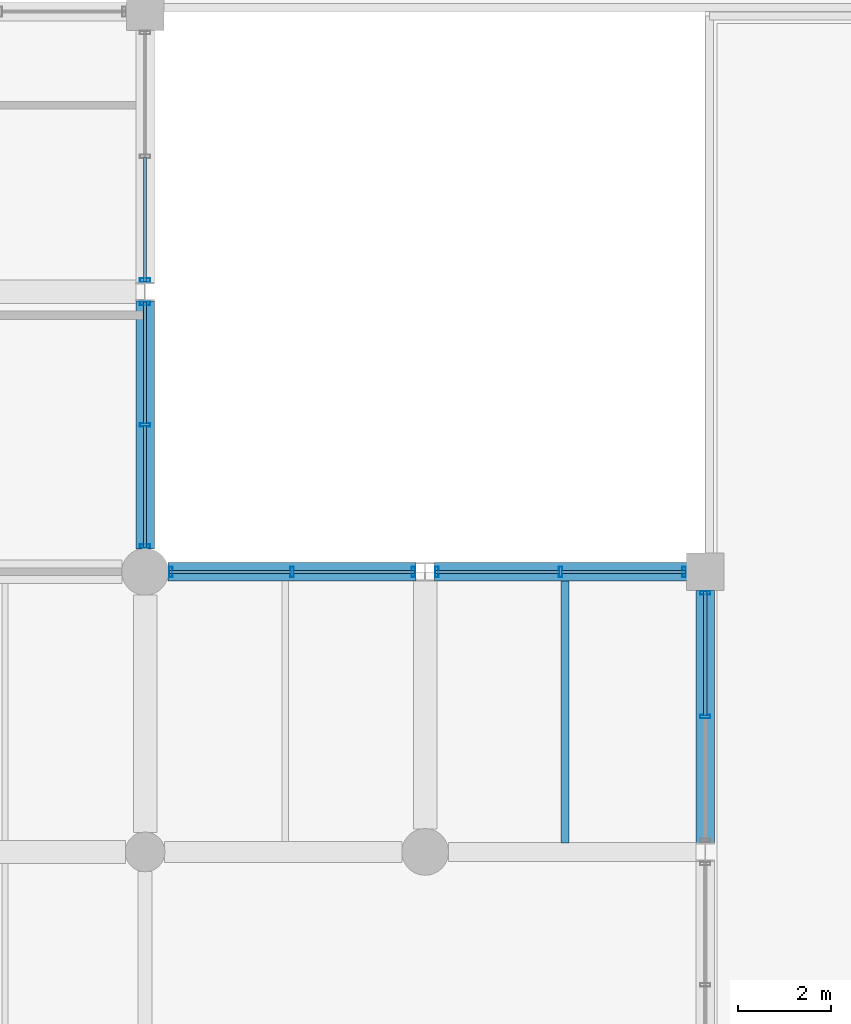
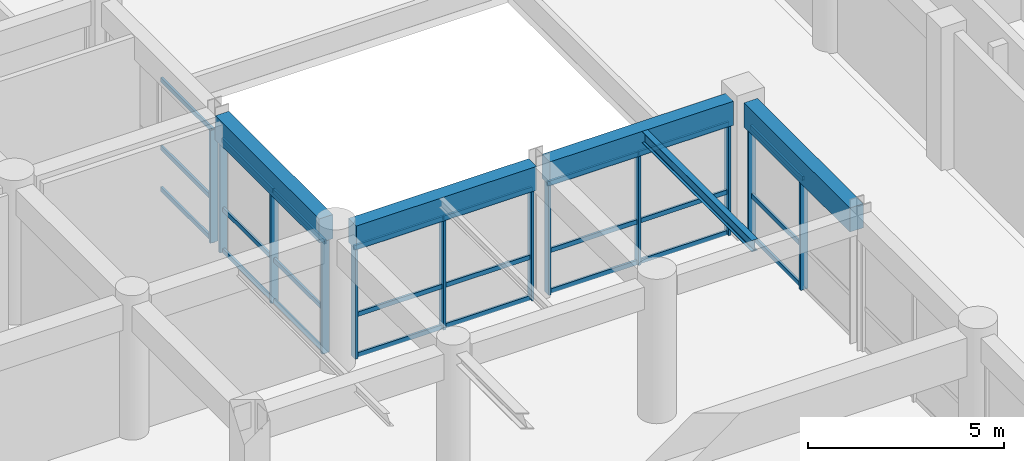
# One storey, part 71 of 133: 36 members, 5 beams, 5 elements without a shape of their own.
"""IFC4 building model written with IfcOpenShell, lengths in metres."""

from ifc_helpers import new_model, si_unit, direction, frame, origin, origin_2d, place, context, subcontext, project, spatial, rectangle, hollow_rectangle, i_section, extrude, material, material_profile, profile_set, type_object, element, aggregate, save


model = new_model("IFC4")

# Units and contexts
model_context = context("Model", 3, precision=1e-05, world=origin(), true_north=direction((0.0, 1.0)))
body_context = subcontext(model_context, "Body", "Model", "MODEL_VIEW")
ifc_project = project(units=[si_unit("LENGTHUNIT", "METRE"), si_unit("AREAUNIT", "SQUARE_METRE"), si_unit("VOLUMEUNIT", "CUBIC_METRE"), si_unit("PLANEANGLEUNIT", "RADIAN"), si_unit("MASSUNIT", "GRAM", prefix="KILO"), si_unit("THERMODYNAMICTEMPERATUREUNIT", "KELVIN"), si_unit("POWERUNIT", "WATT")], contexts=[model_context])

# Site, building, storey
site_placement = place(None, origin())
site = spatial("IfcSite", under=ifc_project, at=site_placement, CompositionType="ELEMENT")
building_placement = place(site_placement, origin())
building = spatial("IfcBuilding", under=site, at=building_placement, Name="Phaisarnlok Congress Hotel", CompositionType="ELEMENT")
storey_placement = place(building_placement, frame((0.0, 0.0, 6.0)))
storey = spatial("IfcBuildingStorey", under=building, at=storey_placement, Name="L01", CompositionType="ELEMENT", Elevation=6.0)

# Curtain wall, members
ifc_material_1 = material(Name="Thermally Broken Unitised Aluminium & Low-E Glazing", Category="aluminium")
curtain_wall_type_1 = type_object("IfcCurtainWallType", Name="CW-UNIT-14", PredefinedType="NOTDEFINED", material=ifc_material_1)
curtain_wall_1_placement = place(storey_placement, origin())
curtain_wall_1 = element("IfcCurtainWall", 1, at=curtain_wall_1_placement, inside=storey, type_object=curtain_wall_type_1, Name="Unitised curtain wall CW-14 (L01)", PredefinedType="NOTDEFINED")
ifc_material_2 = material(Name="Anodised Aluminium Alloy 6063-T6", Category="aluminium")
ifc_material_profile_1 = material_profile(ifc_material_2, hollow_rectangle(XDim=0.074951171875, YDim=0.219970703125, WallThickness=0.0048828125, at=origin_2d()), Name="ALU-M 75x220x5")
ifc_profile_set_1 = profile_set([ifc_material_profile_1], Name="Anodised Aluminium Alloy 6063-T6")
member_type_1 = type_object("IfcMemberType", Name="CWM-220", PredefinedType="MULLION", material=ifc_profile_set_1)
member_1_placement = place(storey_placement, frame((156.0, 80.899658203125, 0.0), z_axis=(0.0, 0.0, 1.0), x_axis=(0.0, 1.0, 0.0)))
member_1 = element("IfcMember", 2, at=member_1_placement, type_object=member_type_1, Name="Curtain wall mullion CWM-02", PredefinedType="MULLION", context=body_context, shape_type="SweptSolid", body=[
    extrude(hollow_rectangle(XDim=0.074951171875, YDim=0.219970703125, WallThickness=0.0048828125, at=origin_2d()), origin(), (0.0, 0.0, 1.0), 3.469970703125),
])
member_2_placement = place(storey_placement, frame((156.0, 83.550048828125, 0.0), z_axis=(0.0, 0.0, 1.0), x_axis=(0.0, 1.0, 0.0)))
member_2 = element("IfcMember", 3, at=member_2_placement, type_object=member_type_1, Name="Curtain wall mullion CWM-02", PredefinedType="MULLION", context=body_context, shape_type="SweptSolid", body=[
    extrude(hollow_rectangle(XDim=0.074951171875, YDim=0.219970703125, WallThickness=0.0048828125, at=origin_2d()), origin(), (0.0, 0.0, 1.0), 3.469970703125),
])

curtain_wall_2_placement = place(storey_placement, origin())
curtain_wall_2 = element("IfcCurtainWall", 4, at=curtain_wall_2_placement, inside=storey, type_object=curtain_wall_type_1, Name="Unitised curtain wall CW-14 (L01)", PredefinedType="NOTDEFINED")
member_3_placement = place(storey_placement, frame((155.550048828125, 84.0, 0.0), z_axis=(0.0, 0.0, 1.0), x_axis=(-1.0, 0.0, 0.0)))
member_3 = element("IfcMember", 5, at=member_3_placement, type_object=member_type_1, Name="Curtain wall mullion CWM-02", PredefinedType="MULLION", context=body_context, shape_type="SweptSolid", body=[
    extrude(hollow_rectangle(XDim=0.074951171875, YDim=0.219970703125, WallThickness=0.0048828125, at=origin_2d()), origin(), (0.0, 0.0, 1.0), 3.469970703125),
])
member_4_placement = place(storey_placement, frame((152.900146484375, 84.0, 0.0), z_axis=(0.0, 0.0, 1.0), x_axis=(-1.0, 0.0, 0.0)))
member_4 = element("IfcMember", 6, at=member_4_placement, type_object=member_type_1, Name="Curtain wall mullion CWM-02", PredefinedType="MULLION", context=body_context, shape_type="SweptSolid", body=[
    extrude(hollow_rectangle(XDim=0.074951171875, YDim=0.219970703125, WallThickness=0.0048828125, at=origin_2d()), origin(), (0.0, 0.0, 1.0), 3.469970703125),
])
member_5_placement = place(storey_placement, frame((150.25048828125, 84.0, 0.0), z_axis=(0.0, 0.0, 1.0), x_axis=(-1.0, 0.0, 0.0)))
member_5 = element("IfcMember", 7, at=member_5_placement, type_object=member_type_1, Name="Curtain wall mullion CWM-02", PredefinedType="MULLION", context=body_context, shape_type="SweptSolid", body=[
    extrude(hollow_rectangle(XDim=0.074951171875, YDim=0.219970703125, WallThickness=0.0048828125, at=origin_2d()), origin(), (0.0, 0.0, 1.0), 3.469970703125),
])

curtain_wall_type_2 = type_object("IfcCurtainWallType", Name="CW-UNIT-13", PredefinedType="NOTDEFINED", material=ifc_material_1)
curtain_wall_3_placement = place(storey_placement, origin())
curtain_wall_3 = element("IfcCurtainWall", 8, at=curtain_wall_3_placement, inside=storey, type_object=curtain_wall_type_2, Name="Unitised curtain wall CW-13 (L01)", PredefinedType="NOTDEFINED")
member_6_placement = place(storey_placement, frame((149.74951171875, 84.0, 0.0), z_axis=(0.0, 0.0, 1.0), x_axis=(-1.0, 0.0, 0.0)))
member_6 = element("IfcMember", 9, at=member_6_placement, type_object=member_type_1, Name="Curtain wall mullion CWM-02", PredefinedType="MULLION", context=body_context, shape_type="SweptSolid", body=[
    extrude(hollow_rectangle(XDim=0.074951171875, YDim=0.219970703125, WallThickness=0.0048828125, at=origin_2d()), origin(), (0.0, 0.0, 1.0), 3.469970703125),
])
member_7_placement = place(storey_placement, frame((147.149658203125, 84.0, 0.0), z_axis=(0.0, 0.0, 1.0), x_axis=(-1.0, 0.0, 0.0)))
member_7 = element("IfcMember", 10, at=member_7_placement, type_object=member_type_1, Name="Curtain wall mullion CWM-02", PredefinedType="MULLION", context=body_context, shape_type="SweptSolid", body=[
    extrude(hollow_rectangle(XDim=0.074951171875, YDim=0.219970703125, WallThickness=0.0048828125, at=origin_2d()), origin(), (0.0, 0.0, 1.0), 3.469970703125),
])
member_8_placement = place(storey_placement, frame((144.550048828125, 84.0, 0.0), z_axis=(0.0, 0.0, 1.0), x_axis=(-1.0, 0.0, 0.0)))
member_8 = element("IfcMember", 11, at=member_8_placement, type_object=member_type_1, Name="Curtain wall mullion CWM-02", PredefinedType="MULLION", context=body_context, shape_type="SweptSolid", body=[
    extrude(hollow_rectangle(XDim=0.074951171875, YDim=0.219970703125, WallThickness=0.0048828125, at=origin_2d()), origin(), (0.0, 0.0, 1.0), 3.469970703125),
])

curtain_wall_type_3 = type_object("IfcCurtainWallType", Name="CW-UNIT-16", PredefinedType="NOTDEFINED", material=ifc_material_1)
curtain_wall_4_placement = place(storey_placement, origin())
curtain_wall_4 = element("IfcCurtainWall", 12, at=curtain_wall_4_placement, inside=storey, type_object=curtain_wall_type_3, Name="Unitised curtain wall CW-16 (L01)", PredefinedType="NOTDEFINED")
member_9_placement = place(storey_placement, frame((144.0, 84.550048828125, 0.0), z_axis=(0.0, 0.0, 1.0), x_axis=(0.0, 1.0, 0.0)))
member_9 = element("IfcMember", 13, at=member_9_placement, type_object=member_type_1, Name="Curtain wall mullion CWM-02", PredefinedType="MULLION", context=body_context, shape_type="SweptSolid", body=[
    extrude(hollow_rectangle(XDim=0.074951171875, YDim=0.219970703125, WallThickness=0.0048828125, at=origin_2d()), origin(), (0.0, 0.0, 1.0), 3.510009765625),
])
member_10_placement = place(storey_placement, frame((144.0, 87.150146484375, 0.0), z_axis=(0.0, 0.0, 1.0), x_axis=(0.0, 1.0, 0.0)))
member_10 = element("IfcMember", 14, at=member_10_placement, type_object=member_type_1, Name="Curtain wall mullion CWM-02", PredefinedType="MULLION", context=body_context, shape_type="SweptSolid", body=[
    extrude(hollow_rectangle(XDim=0.074951171875, YDim=0.219970703125, WallThickness=0.0048828125, at=origin_2d()), origin(), (0.0, 0.0, 1.0), 3.510009765625),
])
member_11_placement = place(storey_placement, frame((144.0, 89.75048828125, 0.0), z_axis=(0.0, 0.0, 1.0), x_axis=(0.0, 1.0, 0.0)))
member_11 = element("IfcMember", 15, at=member_11_placement, type_object=member_type_1, Name="Curtain wall mullion CWM-02", PredefinedType="MULLION", context=body_context, shape_type="SweptSolid", body=[
    extrude(hollow_rectangle(XDim=0.074951171875, YDim=0.219970703125, WallThickness=0.0048828125, at=origin_2d()), origin(), (0.0, 0.0, 1.0), 3.510009765625),
])

# Curtain wall, member
curtain_wall_type_4 = type_object("IfcCurtainWallType", Name="CW-UNIT-17", PredefinedType="NOTDEFINED", material=ifc_material_1)
curtain_wall_5_placement = place(storey_placement, origin())
curtain_wall_5 = element("IfcCurtainWall", 16, at=curtain_wall_5_placement, inside=storey, type_object=curtain_wall_type_4, Name="Unitised curtain wall CW-17 (L01)", PredefinedType="NOTDEFINED")
member_12_placement = place(storey_placement, frame((144.0, 90.24951171875, 0.0), z_axis=(0.0, 0.0, 1.0), x_axis=(0.0, 1.0, 0.0)))
member_12 = element("IfcMember", 17, at=member_12_placement, type_object=member_type_1, Name="Curtain wall mullion CWM-02", PredefinedType="MULLION", context=body_context, shape_type="SweptSolid", body=[
    extrude(hollow_rectangle(XDim=0.074951171875, YDim=0.219970703125, WallThickness=0.0048828125, at=origin_2d()), origin(), (0.0, 0.0, 1.0), 3.510009765625),
])

# Member
ifc_material_profile_2 = material_profile(ifc_material_2, hollow_rectangle(XDim=0.06494140625, YDim=0.139892578125, WallThickness=0.00390625, at=origin_2d()), Name="ALU-T 65x140x4")
ifc_profile_set_2 = profile_set([ifc_material_profile_2], Name="Anodised Aluminium Alloy 6063-T6")
member_type_2 = type_object("IfcMemberType", Name="CWT-150", PredefinedType="USERDEFINED", material=ifc_profile_set_2)
member_13_placement = place(storey_placement, frame((156.0, 80.914794921875, 0.050048828125), z_axis=(0.0, 1.0, 0.0), x_axis=(-1.0, 0.0, 0.0)))
member_13 = element("IfcMember", 18, at=member_13_placement, type_object=member_type_2, Name="Curtain wall transom CWT-01", ObjectType="TRANSOM", PredefinedType="USERDEFINED", context=body_context, shape_type="SweptSolid", body=[
    extrude(hollow_rectangle(XDim=0.06494140625, YDim=0.139892578125, WallThickness=0.00390625, at=origin_2d()), origin(), (0.0, 0.0, 1.0), 2.66015625),
])

member_14_placement = place(storey_placement, frame((156.0, 80.914794921875, 1.318603515625), z_axis=(0.0, 1.0, 0.0), x_axis=(-1.0, 0.0, 0.0)))
member_14 = element("IfcMember", 19, at=member_14_placement, type_object=member_type_2, Name="Curtain wall transom CWT-01", ObjectType="TRANSOM", PredefinedType="USERDEFINED", context=body_context, shape_type="SweptSolid", body=[
    extrude(hollow_rectangle(XDim=0.06494140625, YDim=0.139892578125, WallThickness=0.00390625, at=origin_2d()), origin(), (0.0, 0.0, 1.0), 2.66015625),
])

member_15_placement = place(storey_placement, frame((156.0, 80.914794921875, 3.419921875), z_axis=(0.0, 1.0, 0.0), x_axis=(-1.0, 0.0, 0.0)))
member_15 = element("IfcMember", 20, at=member_15_placement, type_object=member_type_2, Name="Curtain wall transom CWT-01", ObjectType="TRANSOM", PredefinedType="USERDEFINED", context=body_context, shape_type="SweptSolid", body=[
    extrude(hollow_rectangle(XDim=0.06494140625, YDim=0.139892578125, WallThickness=0.00390625, at=origin_2d()), origin(), (0.0, 0.0, 1.0), 2.66015625),
])

aggregate(curtain_wall_1, [member_1, member_2, member_13, member_14, member_15])

member_16_placement = place(storey_placement, frame((155.574951171875, 84.0, 0.050048828125), z_axis=(-1.0, 0.0, 0.0), x_axis=(0.0, -1.0, 0.0)))
member_16 = element("IfcMember", 21, at=member_16_placement, type_object=member_type_2, Name="Curtain wall transom CWT-01", ObjectType="TRANSOM", PredefinedType="USERDEFINED", context=body_context, shape_type="SweptSolid", body=[
    extrude(hollow_rectangle(XDim=0.06494140625, YDim=0.139892578125, WallThickness=0.00390625, at=origin_2d()), origin(), (0.0, 0.0, 1.0), 2.65966796875),
])

member_17_placement = place(storey_placement, frame((155.574951171875, 84.0, 1.318603515625), z_axis=(-1.0, 0.0, 0.0), x_axis=(0.0, -1.0, 0.0)))
member_17 = element("IfcMember", 22, at=member_17_placement, type_object=member_type_2, Name="Curtain wall transom CWT-01", ObjectType="TRANSOM", PredefinedType="USERDEFINED", context=body_context, shape_type="SweptSolid", body=[
    extrude(hollow_rectangle(XDim=0.06494140625, YDim=0.139892578125, WallThickness=0.00390625, at=origin_2d()), origin(), (0.0, 0.0, 1.0), 2.65966796875),
])

member_18_placement = place(storey_placement, frame((155.574951171875, 84.0, 3.419921875), z_axis=(-1.0, 0.0, 0.0), x_axis=(0.0, -1.0, 0.0)))
member_18 = element("IfcMember", 23, at=member_18_placement, type_object=member_type_2, Name="Curtain wall transom CWT-01", ObjectType="TRANSOM", PredefinedType="USERDEFINED", context=body_context, shape_type="SweptSolid", body=[
    extrude(hollow_rectangle(XDim=0.06494140625, YDim=0.139892578125, WallThickness=0.00390625, at=origin_2d()), origin(), (0.0, 0.0, 1.0), 2.65966796875),
])

member_19_placement = place(storey_placement, frame((152.88525390625, 84.0, 0.050048828125), z_axis=(-1.0, 0.0, 0.0), x_axis=(0.0, -1.0, 0.0)))
member_19 = element("IfcMember", 24, at=member_19_placement, type_object=member_type_2, Name="Curtain wall transom CWT-01", ObjectType="TRANSOM", PredefinedType="USERDEFINED", context=body_context, shape_type="SweptSolid", body=[
    extrude(hollow_rectangle(XDim=0.06494140625, YDim=0.139892578125, WallThickness=0.00390625, at=origin_2d()), origin(), (0.0, 0.0, 1.0), 2.65966796875),
])

member_20_placement = place(storey_placement, frame((152.88525390625, 84.0, 1.318603515625), z_axis=(-1.0, 0.0, 0.0), x_axis=(0.0, -1.0, 0.0)))
member_20 = element("IfcMember", 25, at=member_20_placement, type_object=member_type_2, Name="Curtain wall transom CWT-01", ObjectType="TRANSOM", PredefinedType="USERDEFINED", context=body_context, shape_type="SweptSolid", body=[
    extrude(hollow_rectangle(XDim=0.06494140625, YDim=0.139892578125, WallThickness=0.00390625, at=origin_2d()), origin(), (0.0, 0.0, 1.0), 2.65966796875),
])

member_21_placement = place(storey_placement, frame((152.88525390625, 84.0, 3.419921875), z_axis=(-1.0, 0.0, 0.0), x_axis=(0.0, -1.0, 0.0)))
member_21 = element("IfcMember", 26, at=member_21_placement, type_object=member_type_2, Name="Curtain wall transom CWT-01", ObjectType="TRANSOM", PredefinedType="USERDEFINED", context=body_context, shape_type="SweptSolid", body=[
    extrude(hollow_rectangle(XDim=0.06494140625, YDim=0.139892578125, WallThickness=0.00390625, at=origin_2d()), origin(), (0.0, 0.0, 1.0), 2.65966796875),
])

aggregate(curtain_wall_2, [member_3, member_4, member_5, member_16, member_17, member_18, member_19, member_20, member_21])

member_22_placement = place(storey_placement, frame((149.7744140625, 84.0, 0.050048828125), z_axis=(-1.0, 0.0, 0.0), x_axis=(0.0, -1.0, 0.0)))
member_22 = element("IfcMember", 27, at=member_22_placement, type_object=member_type_2, Name="Curtain wall transom CWT-01", ObjectType="TRANSOM", PredefinedType="USERDEFINED", context=body_context, shape_type="SweptSolid", body=[
    extrude(hollow_rectangle(XDim=0.06494140625, YDim=0.139892578125, WallThickness=0.00390625, at=origin_2d()), origin(), (0.0, 0.0, 1.0), 2.609619140625),
])

member_23_placement = place(storey_placement, frame((149.7744140625, 84.0, 1.318603515625), z_axis=(-1.0, 0.0, 0.0), x_axis=(0.0, -1.0, 0.0)))
member_23 = element("IfcMember", 28, at=member_23_placement, type_object=member_type_2, Name="Curtain wall transom CWT-01", ObjectType="TRANSOM", PredefinedType="USERDEFINED", context=body_context, shape_type="SweptSolid", body=[
    extrude(hollow_rectangle(XDim=0.06494140625, YDim=0.139892578125, WallThickness=0.00390625, at=origin_2d()), origin(), (0.0, 0.0, 1.0), 2.609619140625),
])

member_24_placement = place(storey_placement, frame((149.7744140625, 84.0, 3.419921875), z_axis=(-1.0, 0.0, 0.0), x_axis=(0.0, -1.0, 0.0)))
member_24 = element("IfcMember", 29, at=member_24_placement, type_object=member_type_2, Name="Curtain wall transom CWT-01", ObjectType="TRANSOM", PredefinedType="USERDEFINED", context=body_context, shape_type="SweptSolid", body=[
    extrude(hollow_rectangle(XDim=0.06494140625, YDim=0.139892578125, WallThickness=0.00390625, at=origin_2d()), origin(), (0.0, 0.0, 1.0), 2.609619140625),
])

member_25_placement = place(storey_placement, frame((147.134765625, 84.0, 0.050048828125), z_axis=(-1.0, 0.0, 0.0), x_axis=(0.0, -1.0, 0.0)))
member_25 = element("IfcMember", 30, at=member_25_placement, type_object=member_type_2, Name="Curtain wall transom CWT-01", ObjectType="TRANSOM", PredefinedType="USERDEFINED", context=body_context, shape_type="SweptSolid", body=[
    extrude(hollow_rectangle(XDim=0.06494140625, YDim=0.139892578125, WallThickness=0.00390625, at=origin_2d()), origin(), (0.0, 0.0, 1.0), 2.60986328125),
])

member_26_placement = place(storey_placement, frame((147.134765625, 84.0, 1.318603515625), z_axis=(-1.0, 0.0, 0.0), x_axis=(0.0, -1.0, 0.0)))
member_26 = element("IfcMember", 31, at=member_26_placement, type_object=member_type_2, Name="Curtain wall transom CWT-01", ObjectType="TRANSOM", PredefinedType="USERDEFINED", context=body_context, shape_type="SweptSolid", body=[
    extrude(hollow_rectangle(XDim=0.06494140625, YDim=0.139892578125, WallThickness=0.00390625, at=origin_2d()), origin(), (0.0, 0.0, 1.0), 2.60986328125),
])

member_27_placement = place(storey_placement, frame((147.134765625, 84.0, 3.419921875), z_axis=(-1.0, 0.0, 0.0), x_axis=(0.0, -1.0, 0.0)))
member_27 = element("IfcMember", 32, at=member_27_placement, type_object=member_type_2, Name="Curtain wall transom CWT-01", ObjectType="TRANSOM", PredefinedType="USERDEFINED", context=body_context, shape_type="SweptSolid", body=[
    extrude(hollow_rectangle(XDim=0.06494140625, YDim=0.139892578125, WallThickness=0.00390625, at=origin_2d()), origin(), (0.0, 0.0, 1.0), 2.60986328125),
])

aggregate(curtain_wall_3, [member_6, member_7, member_8, member_22, member_23, member_24, member_25, member_26, member_27])

member_28_placement = place(storey_placement, frame((144.0, 84.52490234375, 0.050048828125), z_axis=(0.0, 1.0, 0.0), x_axis=(-1.0, 0.0, 0.0)))
member_28 = element("IfcMember", 33, at=member_28_placement, type_object=member_type_2, Name="Curtain wall transom CWT-01", ObjectType="TRANSOM", PredefinedType="USERDEFINED", context=body_context, shape_type="SweptSolid", body=[
    extrude(hollow_rectangle(XDim=0.06494140625, YDim=0.139892578125, WallThickness=0.00390625, at=origin_2d()), origin(), (0.0, 0.0, 1.0), 2.6103515625),
])

member_29_placement = place(storey_placement, frame((144.0, 84.52490234375, 1.333740234375), z_axis=(0.0, 1.0, 0.0), x_axis=(-1.0, 0.0, 0.0)))
member_29 = element("IfcMember", 34, at=member_29_placement, type_object=member_type_2, Name="Curtain wall transom CWT-01", ObjectType="TRANSOM", PredefinedType="USERDEFINED", context=body_context, shape_type="SweptSolid", body=[
    extrude(hollow_rectangle(XDim=0.06494140625, YDim=0.139892578125, WallThickness=0.00390625, at=origin_2d()), origin(), (0.0, 0.0, 1.0), 2.6103515625),
])

member_30_placement = place(storey_placement, frame((144.0, 84.52490234375, 3.4599609375), z_axis=(0.0, 1.0, 0.0), x_axis=(-1.0, 0.0, 0.0)))
member_30 = element("IfcMember", 35, at=member_30_placement, type_object=member_type_2, Name="Curtain wall transom CWT-01", ObjectType="TRANSOM", PredefinedType="USERDEFINED", context=body_context, shape_type="SweptSolid", body=[
    extrude(hollow_rectangle(XDim=0.06494140625, YDim=0.139892578125, WallThickness=0.00390625, at=origin_2d()), origin(), (0.0, 0.0, 1.0), 2.6103515625),
])

member_31_placement = place(storey_placement, frame((144.0, 87.165283203125, 0.050048828125), z_axis=(0.0, 1.0, 0.0), x_axis=(-1.0, 0.0, 0.0)))
member_31 = element("IfcMember", 36, at=member_31_placement, type_object=member_type_2, Name="Curtain wall transom CWT-01", ObjectType="TRANSOM", PredefinedType="USERDEFINED", context=body_context, shape_type="SweptSolid", body=[
    extrude(hollow_rectangle(XDim=0.06494140625, YDim=0.139892578125, WallThickness=0.00390625, at=origin_2d()), origin(), (0.0, 0.0, 1.0), 2.610107421875),
])

member_32_placement = place(storey_placement, frame((144.0, 87.165283203125, 1.333740234375), z_axis=(0.0, 1.0, 0.0), x_axis=(-1.0, 0.0, 0.0)))
member_32 = element("IfcMember", 37, at=member_32_placement, type_object=member_type_2, Name="Curtain wall transom CWT-01", ObjectType="TRANSOM", PredefinedType="USERDEFINED", context=body_context, shape_type="SweptSolid", body=[
    extrude(hollow_rectangle(XDim=0.06494140625, YDim=0.139892578125, WallThickness=0.00390625, at=origin_2d()), origin(), (0.0, 0.0, 1.0), 2.610107421875),
])

member_33_placement = place(storey_placement, frame((144.0, 87.165283203125, 3.4599609375), z_axis=(0.0, 1.0, 0.0), x_axis=(-1.0, 0.0, 0.0)))
member_33 = element("IfcMember", 38, at=member_33_placement, type_object=member_type_2, Name="Curtain wall transom CWT-01", ObjectType="TRANSOM", PredefinedType="USERDEFINED", context=body_context, shape_type="SweptSolid", body=[
    extrude(hollow_rectangle(XDim=0.06494140625, YDim=0.139892578125, WallThickness=0.00390625, at=origin_2d()), origin(), (0.0, 0.0, 1.0), 2.610107421875),
])

aggregate(curtain_wall_4, [member_9, member_10, member_11, member_28, member_29, member_30, member_31, member_32, member_33])

member_34_placement = place(storey_placement, frame((144.0, 90.224609375, 0.050048828125), z_axis=(0.0, 1.0, 0.0), x_axis=(-1.0, 0.0, 0.0)))
member_34 = element("IfcMember", 39, at=member_34_placement, type_object=member_type_2, Name="Curtain wall transom CWT-01", ObjectType="TRANSOM", PredefinedType="USERDEFINED", context=body_context, shape_type="SweptSolid", body=[
    extrude(hollow_rectangle(XDim=0.06494140625, YDim=0.139892578125, WallThickness=0.00390625, at=origin_2d()), origin(), (0.0, 0.0, 1.0), 2.66015625),
])

member_35_placement = place(storey_placement, frame((144.0, 90.224609375, 1.333740234375), z_axis=(0.0, 1.0, 0.0), x_axis=(-1.0, 0.0, 0.0)))
member_35 = element("IfcMember", 40, at=member_35_placement, type_object=member_type_2, Name="Curtain wall transom CWT-01", ObjectType="TRANSOM", PredefinedType="USERDEFINED", context=body_context, shape_type="SweptSolid", body=[
    extrude(hollow_rectangle(XDim=0.06494140625, YDim=0.139892578125, WallThickness=0.00390625, at=origin_2d()), origin(), (0.0, 0.0, 1.0), 2.66015625),
])

member_36_placement = place(storey_placement, frame((144.0, 90.224609375, 3.4599609375), z_axis=(0.0, 1.0, 0.0), x_axis=(-1.0, 0.0, 0.0)))
member_36 = element("IfcMember", 41, at=member_36_placement, type_object=member_type_2, Name="Curtain wall transom CWT-01", ObjectType="TRANSOM", PredefinedType="USERDEFINED", context=body_context, shape_type="SweptSolid", body=[
    extrude(hollow_rectangle(XDim=0.06494140625, YDim=0.139892578125, WallThickness=0.00390625, at=origin_2d()), origin(), (0.0, 0.0, 1.0), 2.66015625),
])

aggregate(curtain_wall_5, [member_12, member_34, member_35, member_36])

# Beams
ifc_material_3 = material(Name="Steel S355", Category="steel")
ifc_material_profile_3 = material_profile(ifc_material_3, i_section(OverallWidth=0.169921875, OverallDepth=0.360107421875, WebThickness=0.008056640625, FlangeThickness=0.0126953125, FilletRadius=0.01806640625, at=origin_2d()), Name="IPE 360")
ifc_profile_set_3 = profile_set([ifc_material_profile_3], Name="Steel S355")
beam_type_1 = type_object("IfcBeamType", Name="JS-STL-IPE360", PredefinedType="JOIST", material=ifc_profile_set_3)
beam_1_placement = place(storey_placement, frame((153.0, 78.195068359375, 4.0400390625), z_axis=(0.0, 1.0, 0.0), x_axis=(-1.0, 0.0, 0.0)))
element("IfcBeam", 42, at=beam_1_placement, inside=storey, type_object=beam_type_1, Name="Secondary floor joist J-04", PredefinedType="JOIST", context=body_context, shape_type="SweptSolid", body=[
    extrude(i_section(OverallWidth=0.169921875, OverallDepth=0.360107421875, WebThickness=0.008056640625, FlangeThickness=0.0126953125, FilletRadius=0.01806640625, at=origin_2d()), origin(), (0.0, 0.0, 1.0), 5.60986328125),
])
ifc_material_4 = material(Name="Concrete C40/50", Category="concrete")
ifc_material_profile_4 = material_profile(ifc_material_4, rectangle(XDim=0.39990234375, YDim=0.75, at=origin_2d()), Name="RC 400x750")
ifc_profile_set_4 = profile_set([ifc_material_profile_4], Name="Concrete C40/50")
beam_type_2 = type_object("IfcBeamType", Name="SP-RC-400x750", PredefinedType="SPANDREL", material=ifc_profile_set_4)
beam_2_placement = place(storey_placement, frame((144.4951171875, 84.0, 3.844970703125), z_axis=(1.0, 0.0, 0.0), x_axis=(0.0, 1.0, 0.0)))
element("IfcBeam", 43, at=beam_2_placement, inside=storey, type_object=beam_type_2, Name="Beam SP-02", PredefinedType="SPANDREL", context=body_context, shape_type="SweptSolid", body=[
    extrude(rectangle(XDim=0.39990234375, YDim=0.75, at=origin_2d()), origin(), (0.0, 0.0, 1.0), 5.309326171875),
])
beam_3_placement = place(storey_placement, frame((144.0, 84.4951171875, 3.885009765625), z_axis=(0.0, 1.0, 0.0), x_axis=(-1.0, 0.0, 0.0)))
element("IfcBeam", 44, at=beam_3_placement, inside=storey, type_object=beam_type_2, Name="Beam SP-02", PredefinedType="SPANDREL", context=body_context, shape_type="SweptSolid", body=[
    extrude(rectangle(XDim=0.39990234375, YDim=0.75, at=origin_2d()), origin(), (0.0, 0.0, 1.0), 5.310302734375),
])
beam_4_placement = place(storey_placement, frame((150.195556640625, 84.0, 3.844970703125), z_axis=(1.0, 0.0, 0.0), x_axis=(0.0, 1.0, 0.0)))
element("IfcBeam", 45, at=beam_4_placement, inside=storey, type_object=beam_type_2, Name="Beam SP-02", PredefinedType="SPANDREL", context=body_context, shape_type="SweptSolid", body=[
    extrude(rectangle(XDim=0.39990234375, YDim=0.75, at=origin_2d()), origin(), (0.0, 0.0, 1.0), 5.409423828125),
])
beam_5_placement = place(storey_placement, frame((156.0, 78.194580078125, 3.844970703125), z_axis=(0.0, 1.0, 0.0), x_axis=(-1.0, 0.0, 0.0)))
element("IfcBeam", 46, at=beam_5_placement, inside=storey, type_object=beam_type_2, Name="Beam SP-02", PredefinedType="SPANDREL", context=body_context, shape_type="SweptSolid", body=[
    extrude(rectangle(XDim=0.39990234375, YDim=0.75, at=origin_2d()), origin(), (0.0, 0.0, 1.0), 5.410400390625),
])

save(model, "model.ifc")
